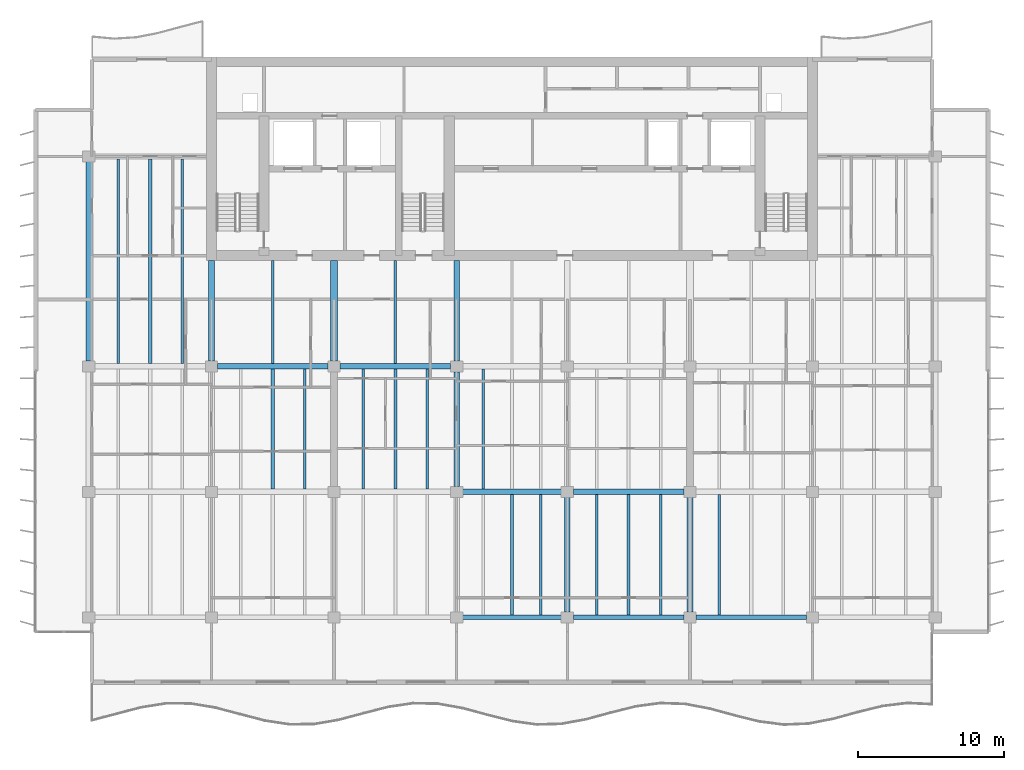
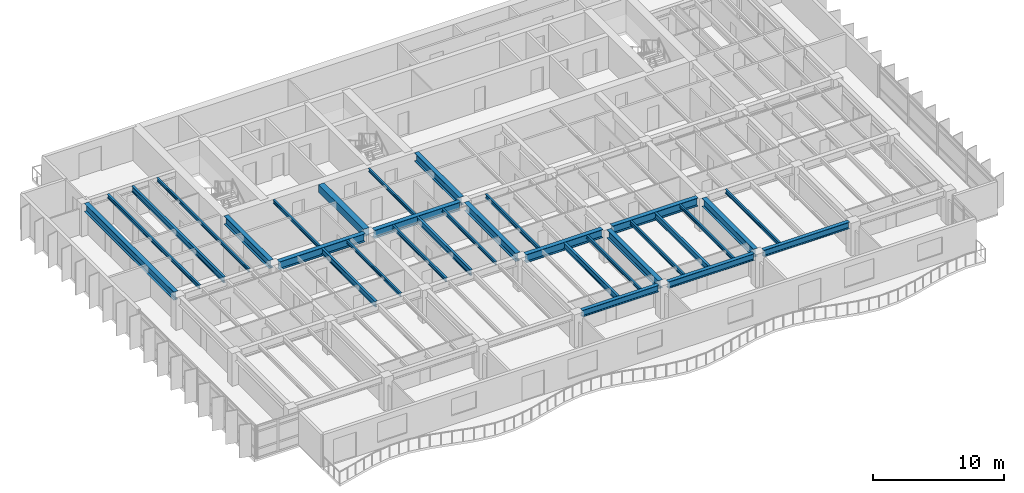
# One storey, part 3 of 17: 31 beams.
"""IFC4 building model written with IfcOpenShell, lengths in metres."""

import ifcopenshell
import ifcopenshell.guid

model = None  # the IFC model being written
_history = None  # IfcOwnerHistory: only IFC2X3 demands one
_inside = {}  # id of a spatial element -> (the spatial element, [elements in it])
_under = {}  # id of a project, library or spatial element -> (it, [spatial elements below it])
_declared = {}  # id of a project -> (the project, [libraries it declares])
_typed = {}  # id of a type object -> (the type object, [elements of that type])
_made_of = {}  # id of a material, layer set ... -> (it, [elements and type objects made of it])


def new_model(schema):
    """Start an empty IFC model of exactly this schema.

    Asked for "IFC4X3", IfcOpenShell would pick the latest addendum, in which some entities
    have other attributes; the version numbers below select the first issue.
    IFC2X3 requires an IfcOwnerHistory on every rooted entity: one is made here for all.
    """
    global model, _history
    if schema == "IFC4X3":
        model = ifcopenshell.file(schema_version=(4, 3, 0, 0))
    else:
        model = ifcopenshell.file(schema=schema)
    _inside.clear()
    _under.clear()
    _declared.clear()
    _typed.clear()
    _made_of.clear()
    _history = None
    if model.schema == "IFC2X3":
        org = make("IfcOrganization", Name="unknown")
        user = make(
            "IfcPersonAndOrganization",
            ThePerson=make("IfcPerson", FamilyName="unknown"),
            TheOrganization=org,
        )
        app = make(
            "IfcApplication",
            ApplicationDeveloper=org,
            Version="unknown",
            ApplicationFullName="unknown",
            ApplicationIdentifier="unknown",
        )
        _history = make(
            "IfcOwnerHistory",
            OwningUser=user,
            OwningApplication=app,
            ChangeAction="ADDED",
            CreationDate=0,
        )
    return model


def make(cls, **values):
    """One entity of the class cls with the attributes given. An attribute that is None is left unset."""
    return model.create_entity(
        cls, **{name: value for name, value in values.items() if value is not None}
    )


def rooted(cls, **values):
    """An entity with a GlobalId (a new one), such as an element, a storey or a relation."""
    return make(cls, GlobalId=ifcopenshell.guid.new(), OwnerHistory=_history, **values)


def si_unit(unit_type, name, prefix=None):
    """IfcSIUnit, for example si_unit("LENGTHUNIT", "METRE", prefix="MILLI")."""
    return make("IfcSIUnit", UnitType=unit_type, Prefix=prefix, Name=name)


def assignment(units):
    """IfcUnitAssignment: the units of a project."""
    return None if units is None else make("IfcUnitAssignment", Units=units)


def point(xyz):
    """IfcCartesianPoint."""
    return None if xyz is None else make("IfcCartesianPoint", Coordinates=xyz)


def direction(xyz):
    """IfcDirection."""
    return None if xyz is None else make("IfcDirection", DirectionRatios=xyz)


def frame(location, z_axis=None, x_axis=None):
    """IfcAxis2Placement3D, a coordinate frame: its origin and axes. An axis left out is left unset."""
    return make(
        "IfcAxis2Placement3D",
        Location=point(location),
        Axis=direction(z_axis),
        RefDirection=direction(x_axis),
    )


def frame_2d(location, x_axis=None):
    """IfcAxis2Placement2D, a coordinate frame in the plane: its origin and x axis."""
    return make(
        "IfcAxis2Placement2D", Location=point(location), RefDirection=direction(x_axis)
    )


def origin():
    """The frame at (0, 0, 0) with its axes left unset."""
    return frame((0.0, 0.0, 0.0))


def origin_2d():
    """The frame at (0, 0) in the plane with its x axis left unset."""
    return frame_2d((0.0, 0.0))


def place(relative_to, where):
    """IfcLocalPlacement: puts the frame where relative to a parent placement (None: the world)."""
    return make(
        "IfcLocalPlacement", PlacementRelTo=relative_to, RelativePlacement=where
    )


def context(
    kind, dimensions, precision=None, world=None, true_north=None, identifier=None
):
    """IfcGeometricRepresentationContext, for example the 3D "Model" context."""
    return make(
        "IfcGeometricRepresentationContext",
        ContextIdentifier=identifier,
        ContextType=kind,
        CoordinateSpaceDimension=dimensions,
        Precision=precision,
        WorldCoordinateSystem=world,
        TrueNorth=true_north,
    )


def subcontext(parent, identifier, kind, view, scale=None):
    """IfcGeometricRepresentationSubContext, for example "Body" below "Model"."""
    return make(
        "IfcGeometricRepresentationSubContext",
        ContextIdentifier=identifier,
        ContextType=kind,
        ParentContext=parent,
        TargetScale=scale,
        TargetView=view,
    )


def project(units=None, contexts=None):
    """IfcProject with its units and contexts."""
    return rooted(
        "IfcProject",
        Name="project",
        RepresentationContexts=contexts,
        UnitsInContext=assignment(units),
    )


def spatial(cls, under=None, at=None, **own):
    """A site, building, storey or space (cls), placed at a placement, below another one or the project."""
    s = rooted(cls, ObjectPlacement=at, **own)
    if under is not None:
        _under.setdefault(under.id(), (under, []))[1].append(s)
    return s


def profile(cls, at=None, kind="AREA", **sizes):
    """A parametric profile (cls). Its sizes go by their IFC names, for example OverallWidth=200.0."""
    return make(cls, ProfileType=kind, Position=at, **sizes)


def rectangle(**sizes):
    """IfcRectangleProfileDef."""
    return profile("IfcRectangleProfileDef", **sizes)


def i_section(**sizes):
    """IfcIShapeProfileDef."""
    return profile("IfcIShapeProfileDef", **sizes)


def extrude(swept, where, along, depth):
    """IfcExtrudedAreaSolid: the profile swept, set in the frame where, extruded along a direction by depth."""
    return make(
        "IfcExtrudedAreaSolid",
        SweptArea=swept,
        Position=where,
        ExtrudedDirection=direction(along),
        Depth=depth,
    )


def shape(context_of_items, identifier, shape_type, items):
    """IfcShapeRepresentation: the items that make up one representation, for example the "Body"."""
    return make(
        "IfcShapeRepresentation",
        ContextOfItems=context_of_items,
        RepresentationIdentifier=identifier,
        RepresentationType=shape_type,
        Items=items,
    )


def material(Name=None, Category=None):
    """IfcMaterial."""
    return make("IfcMaterial", Name=Name, Category=Category)


def material_profile(
    of_material, cross_section, Name=None, Category=None, Priority=None
):
    """IfcMaterialProfile: a cross section and its material."""
    return make(
        "IfcMaterialProfile",
        Name=Name,
        Material=of_material,
        Profile=cross_section,
        Priority=Priority,
        Category=Category,
    )


def profile_set(profiles, Name=None, composite=None):
    """IfcMaterialProfileSet."""
    return make(
        "IfcMaterialProfileSet",
        Name=Name,
        MaterialProfiles=profiles,
        CompositeProfile=composite,
    )


def made_of(thing, what):
    """Note that an element or type object is made of a material, layer set ...; save() writes the relation."""
    if what is not None:
        _made_of.setdefault(what.id(), (what, []))[1].append(thing)
    return thing


def type_object(cls, material=None, **own):
    """A type object (cls), such as IfcWallType, which elements share."""
    return made_of(rooted(cls, **own), material)


def element(
    cls,
    number,
    at=None,
    inside=None,
    cuts=None,
    type_object=None,
    material=None,
    context=None,
    identifier="Body",
    shape_type=None,
    held_by="IfcProductDefinitionShape",
    body=None,
    shapes=None,
    **own,
):
    """One element of the class cls, such as IfcWall. Its Tag is "e" and its number.

    at: its placement. inside: the storey or other place that contains it. cuts: it is an
    opening in that element (IfcRelVoidsElement). A single representation is given by context,
    identifier, shape_type and body (its items); several are given by shapes. held_by: the class
    of the entity that holds the representations. save() writes the other relations.
    """
    e = rooted(cls, Tag="e%d" % number, ObjectPlacement=at, **own)
    if body is not None:
        shapes = [shape(context, identifier, shape_type, body)]
    if shapes is not None:
        e.Representation = make(held_by, Representations=shapes)
    if inside is not None:
        _inside.setdefault(inside.id(), (inside, []))[1].append(e)
    if cuts is not None:
        rooted(
            "IfcRelVoidsElement", RelatingBuildingElement=cuts, RelatedOpeningElement=e
        )
    if type_object is not None:
        _typed.setdefault(type_object.id(), (type_object, []))[1].append(e)
    return made_of(e, material)


def aggregate(whole, parts):
    """IfcRelAggregates: a whole, such as a stair, and the parts it consists of."""
    return rooted("IfcRelAggregates", RelatingObject=whole, RelatedObjects=parts)


def save(model, path):
    """Write the relations noted so far, then the file.

    IfcRelAggregates (storeys below a building ...), IfcRelContainedInSpatialStructure (elements
    in a storey), IfcRelDefinesByType, IfcRelAssociatesMaterial and IfcRelDeclares: one each for
    every whole, place, type object, material and project.
    """
    for whole, parts in _under.values():
        aggregate(whole, parts)
    for where, things in _inside.values():
        rooted(
            "IfcRelContainedInSpatialStructure",
            RelatedElements=things,
            RelatingStructure=where,
        )
    for kind, things in _typed.values():
        rooted("IfcRelDefinesByType", RelatedObjects=things, RelatingType=kind)
    for what, things in _made_of.values():
        rooted("IfcRelAssociatesMaterial", RelatedObjects=things, RelatingMaterial=what)
    for by, libraries in _declared.values():
        rooted("IfcRelDeclares", RelatingContext=by, RelatedDefinitions=libraries)
    model.write(path)


model = new_model("IFC4")

# Units and contexts
model_context = context("Model", 3, precision=1e-05, world=origin(), true_north=direction((0.0, 1.0)))
body_context = subcontext(model_context, "Body", "Model", "MODEL_VIEW")
ifc_project = project(units=[si_unit("LENGTHUNIT", "METRE"), si_unit("AREAUNIT", "SQUARE_METRE"), si_unit("VOLUMEUNIT", "CUBIC_METRE"), si_unit("PLANEANGLEUNIT", "RADIAN"), si_unit("MASSUNIT", "GRAM", prefix="KILO")], contexts=[model_context])

# Site, building, storey
site_placement = place(None, origin())
site = spatial("IfcSite", under=ifc_project, at=site_placement, CompositionType="ELEMENT")
building_placement = place(site_placement, origin())
building = spatial("IfcBuilding", under=site, at=building_placement, Name="Caelmar Bay Residences", CompositionType="ELEMENT")
storey_placement = place(building_placement, frame((0.0, 0.0, 204.89990234375)))
storey = spatial("IfcBuildingStorey", under=building, at=storey_placement, Name="L57", CompositionType="ELEMENT", Elevation=204.89990234375)

# Beams
ifc_material_1 = material(Name="Steel ASTM A992 Grade 50", Category="steel")
ifc_material_profile_1 = material_profile(ifc_material_1, i_section(OverallWidth=0.381103515625, OverallDepth=0.77197265625, WebThickness=0.0166015625, FlangeThickness=0.027099609375, FilletRadius=0.0166015625, at=origin_2d()), Name="W30X173")
ifc_profile_set_1 = profile_set([ifc_material_profile_1], Name="Steel ASTM A992 Grade 50")
beam_type_1 = type_object("IfcBeamType", Name="BM-GRD-W30X173", PredefinedType="BEAM", material=ifc_profile_set_1)
beam_1_placement = place(storey_placement, frame((35.514892578125, 20.800048828125, 2.6640625), z_axis=(1.0, 0.0, 0.0), x_axis=(0.0, 1.0, 0.0)))
element("IfcBeam", 1, at=beam_1_placement, inside=storey, type_object=beam_type_1, Name="L57 East-West Girder Y=20.80 (35.1-42.7)", PredefinedType="BEAM", context=body_context, shape_type="SweptSolid", body=[
    extrude(i_section(OverallWidth=0.381103515625, OverallDepth=0.77197265625, WebThickness=0.0166015625, FlangeThickness=0.027099609375, FilletRadius=0.0166015625, at=origin_2d()), origin(), (0.0, 0.0, 1.0), 6.77001953125),
])
beam_2_placement = place(storey_placement, frame((43.114990234375, 20.800048828125, 2.6640625), z_axis=(1.0, 0.0, 0.0), x_axis=(0.0, 1.0, 0.0)))
element("IfcBeam", 2, at=beam_2_placement, inside=storey, type_object=beam_type_1, Name="L57 East-West Girder Y=20.80 (42.7-51.1)", PredefinedType="BEAM", context=body_context, shape_type="SweptSolid", body=[
    extrude(i_section(OverallWidth=0.381103515625, OverallDepth=0.77197265625, WebThickness=0.0166015625, FlangeThickness=0.027099609375, FilletRadius=0.0166015625, at=origin_2d()), origin(), (0.0, 0.0, 1.0), 7.570068359375),
])
beam_3_placement = place(storey_placement, frame((18.715087890625, 29.39990234375, 2.6640625), z_axis=(1.0, 0.0, 0.0), x_axis=(0.0, 1.0, 0.0)))
element("IfcBeam", 3, at=beam_3_placement, inside=storey, type_object=beam_type_1, Name="L57 East-West Girder Y=29.40 (18.3-26.7)", PredefinedType="BEAM", context=body_context, shape_type="SweptSolid", body=[
    extrude(i_section(OverallWidth=0.381103515625, OverallDepth=0.77197265625, WebThickness=0.0166015625, FlangeThickness=0.027099609375, FilletRadius=0.0166015625, at=origin_2d()), origin(), (0.0, 0.0, 1.0), 7.56982421875),
])
beam_4_placement = place(storey_placement, frame((27.114990234375, 29.39990234375, 2.6640625), z_axis=(1.0, 0.0, 0.0), x_axis=(0.0, 1.0, 0.0)))
element("IfcBeam", 4, at=beam_4_placement, inside=storey, type_object=beam_type_1, Name="L57 East-West Girder Y=29.40 (26.7-35.1)", PredefinedType="BEAM", context=body_context, shape_type="SweptSolid", body=[
    extrude(i_section(OverallWidth=0.381103515625, OverallDepth=0.77197265625, WebThickness=0.0166015625, FlangeThickness=0.027099609375, FilletRadius=0.0166015625, at=origin_2d()), origin(), (0.0, 0.0, 1.0), 7.570068359375),
])
beam_5_placement = place(storey_placement, frame((9.89990234375, 29.764892578125, 2.6640625), z_axis=(0.0, 1.0, 0.0), x_axis=(-1.0, 0.0, 0.0)))
element("IfcBeam", 5, at=beam_5_placement, inside=storey, type_object=beam_type_1, Name="L57 North-South Girder X=9.90 (29.4-43.8)", PredefinedType="BEAM", context=body_context, shape_type="SweptSolid", body=[
    extrude(i_section(OverallWidth=0.381103515625, OverallDepth=0.77197265625, WebThickness=0.0166015625, FlangeThickness=0.027099609375, FilletRadius=0.0166015625, at=origin_2d()), origin(), (0.0, 0.0, 1.0), 13.670166015625),
])
for number, where, z_axis, x_axis, name in (
    (6, (18.300048828125, 29.764892578125, 2.6640625), (0.0, 1.0, 0.0), (-1.0, 0.0, 0.0), "L57 Core Tie Girder X=18.30"),
    (7, (35.10009765625, 29.764892578125, 2.6640625), (0.0, 1.0, 0.0), (-1.0, 0.0, 0.0), "L57 Core Tie Girder X=35.10"),
):
    element("IfcBeam", number, at=place(storey_placement, frame(where, z_axis=z_axis, x_axis=x_axis)), inside=storey, type_object=beam_type_1, Name=name, PredefinedType="BEAM", context=body_context, shape_type="SweptSolid", body=[
        extrude(i_section(OverallWidth=0.381103515625, OverallDepth=0.77197265625, WebThickness=0.0166015625, FlangeThickness=0.027099609375, FilletRadius=0.0166015625, at=origin_2d()), origin(), (0.0, 0.0, 1.0), 6.885009765625),
    ])
beam_6_placement = place(storey_placement, frame((35.10009765625, 21.1650390625, 2.6640625), z_axis=(0.0, 1.0, 0.0), x_axis=(-1.0, 0.0, 0.0)))
element("IfcBeam", 8, at=beam_6_placement, inside=storey, type_object=beam_type_1, Name="L57 North-South Girder X=35.10 (20.8-29.4)", PredefinedType="BEAM", context=body_context, shape_type="SweptSolid", body=[
    extrude(i_section(OverallWidth=0.381103515625, OverallDepth=0.77197265625, WebThickness=0.0166015625, FlangeThickness=0.027099609375, FilletRadius=0.0166015625, at=origin_2d()), origin(), (0.0, 0.0, 1.0), 7.869873046875),
])
for number, where, z_axis, x_axis, name in (
    (9, (42.699951171875, 12.56494140625, 2.6640625), (0.0, 1.0, 0.0), (-1.0, 0.0, 0.0), "L57 North-South Girder X=42.70 (12.2-20.8)"),
    (10, (51.10009765625, 12.56494140625, 2.6640625), (0.0, 1.0, 0.0), (-1.0, 0.0, 0.0), "L57 North-South Girder X=51.10 (12.2-20.8)"),
):
    element("IfcBeam", number, at=place(storey_placement, frame(where, z_axis=z_axis, x_axis=x_axis)), inside=storey, type_object=beam_type_1, Name=name, PredefinedType="BEAM", context=body_context, shape_type="SweptSolid", body=[
        extrude(i_section(OverallWidth=0.381103515625, OverallDepth=0.77197265625, WebThickness=0.0166015625, FlangeThickness=0.027099609375, FilletRadius=0.0166015625, at=origin_2d()), origin(), (0.0, 0.0, 1.0), 7.8701171875),
    ])
ifc_material_profile_2 = material_profile(ifc_material_1, i_section(OverallWidth=0.1650390625, OverallDepth=0.31005859375, WebThickness=0.005859375, FlangeThickness=0.009765625, FilletRadius=0.007568359375, at=origin_2d()), Name="W12X26")
ifc_profile_set_2 = profile_set([ifc_material_profile_2], Name="Steel ASTM A992 Grade 50")
beam_type_2 = type_object("IfcBeamType", Name="BM-JST-W12X26", PredefinedType="JOIST", material=ifc_profile_set_2)
for number, where, z_axis, x_axis, name in (
    (11, (40.8759765625, 12.362548828125, 2.89501953125), (0.0, 1.0, 0.0), (-1.0, 0.0, 0.0), "L57 Composite Floor Joist 12"),
    (12, (49.083984375, 12.362548828125, 2.89501953125), (0.0, 1.0, 0.0), (-1.0, 0.0, 0.0), "L57 Composite Floor Joist 15"),
):
    element("IfcBeam", number, at=place(storey_placement, frame(where, z_axis=z_axis, x_axis=x_axis)), inside=storey, type_object=beam_type_2, Name=name, PredefinedType="JOIST", context=body_context, shape_type="SweptSolid", body=[
        extrude(i_section(OverallWidth=0.1650390625, OverallDepth=0.31005859375, WebThickness=0.005859375, FlangeThickness=0.009765625, FilletRadius=0.007568359375, at=origin_2d()), origin(), (0.0, 0.0, 1.0), 8.2470703125),
    ])
for number, where, z_axis, x_axis, name in (
    (13, (24.68408203125, 20.990478515625, 2.89501953125), (0.0, 1.0, 0.0), (-1.0, 0.0, 0.0), "L57 Composite Floor Joist 27"),
    (14, (33.083984375, 20.990478515625, 2.89501953125), (0.0, 1.0, 0.0), (-1.0, 0.0, 0.0), "L57 Composite Floor Joist 30"),
):
    element("IfcBeam", number, at=place(storey_placement, frame(where, z_axis=z_axis, x_axis=x_axis)), inside=storey, type_object=beam_type_2, Name=name, PredefinedType="JOIST", context=body_context, shape_type="SweptSolid", body=[
        extrude(i_section(OverallWidth=0.1650390625, OverallDepth=0.31005859375, WebThickness=0.005859375, FlangeThickness=0.009765625, FilletRadius=0.007568359375, at=origin_2d()), origin(), (0.0, 0.0, 1.0), 8.218994140625),
    ])
for number, where, z_axis, x_axis, name in (
    (15, (22.5, 29.590576171875, 2.89501953125), (0.0, 1.0, 0.0), (-1.0, 0.0, 0.0), "L57 Core-Band Composite Joist 43"),
    (16, (30.89990234375, 29.590576171875, 2.89501953125), (0.0, 1.0, 0.0), (-1.0, 0.0, 0.0), "L57 Core-Band Composite Joist 44"),
):
    element("IfcBeam", number, at=place(storey_placement, frame(where, z_axis=z_axis, x_axis=x_axis)), inside=storey, type_object=beam_type_2, Name=name, PredefinedType="JOIST", context=body_context, shape_type="SweptSolid", body=[
        extrude(i_section(OverallWidth=0.1650390625, OverallDepth=0.31005859375, WebThickness=0.005859375, FlangeThickness=0.009765625, FilletRadius=0.007568359375, at=origin_2d()), origin(), (0.0, 0.0, 1.0), 7.059326171875),
    ])
beam_7_placement = place(storey_placement, frame((16.283935546875, 29.590576171875, 2.89501953125), z_axis=(0.0, 1.0, 0.0), x_axis=(-1.0, 0.0, 0.0)))
element("IfcBeam", 17, at=beam_7_placement, inside=storey, type_object=beam_type_2, Name="L57 Composite Floor Joist 50", PredefinedType="JOIST", context=body_context, shape_type="SweptSolid", body=[
    extrude(i_section(OverallWidth=0.1650390625, OverallDepth=0.31005859375, WebThickness=0.005859375, FlangeThickness=0.009765625, FilletRadius=0.007568359375, at=origin_2d()), origin(), (0.0, 0.0, 1.0), 14.046875),
])
ifc_material_profile_3 = material_profile(ifc_material_1, i_section(OverallWidth=0.1708984375, OverallDepth=0.35595703125, WebThickness=0.007080078125, FlangeThickness=0.01171875, FilletRadius=0.007568359375, at=origin_2d()), Name="W14X34")
ifc_profile_set_3 = profile_set([ifc_material_profile_3], Name="Steel ASTM A992 Grade 50")
beam_type_3 = type_object("IfcBeamType", Name="BM-JST-W14X34", PredefinedType="JOIST", material=ifc_profile_set_3)
for number, where, z_axis, x_axis, name in (
    (18, (44.716064453125, 12.362548828125, 2.8720703125), (0.0, 1.0, 0.0), (-1.0, 0.0, 0.0), "L57 Composite Floor Joist 13"),
    (19, (53.115966796875, 12.362548828125, 2.8720703125), (0.0, 1.0, 0.0), (-1.0, 0.0, 0.0), "L57 Composite Floor Joist 16"),
):
    element("IfcBeam", number, at=place(storey_placement, frame(where, z_axis=z_axis, x_axis=x_axis)), inside=storey, type_object=beam_type_3, Name=name, PredefinedType="JOIST", context=body_context, shape_type="SweptSolid", body=[
        extrude(i_section(OverallWidth=0.1708984375, OverallDepth=0.35595703125, WebThickness=0.007080078125, FlangeThickness=0.01171875, FilletRadius=0.007568359375, at=origin_2d()), origin(), (0.0, 0.0, 1.0), 8.2470703125),
    ])
for number, where, z_axis, x_axis, name in (
    (20, (28.716064453125, 20.990478515625, 2.8720703125), (0.0, 1.0, 0.0), (-1.0, 0.0, 0.0), "L57 Composite Floor Joist 28"),
    (21, (36.924072265625, 20.990478515625, 2.8720703125), (0.0, 1.0, 0.0), (-1.0, 0.0, 0.0), "L57 Composite Floor Joist 31"),
):
    element("IfcBeam", number, at=place(storey_placement, frame(where, z_axis=z_axis, x_axis=x_axis)), inside=storey, type_object=beam_type_3, Name=name, PredefinedType="JOIST", context=body_context, shape_type="SweptSolid", body=[
        extrude(i_section(OverallWidth=0.1708984375, OverallDepth=0.35595703125, WebThickness=0.007080078125, FlangeThickness=0.01171875, FilletRadius=0.007568359375, at=origin_2d()), origin(), (0.0, 0.0, 1.0), 8.218994140625),
    ])
beam_8_placement = place(storey_placement, frame((11.916015625, 29.590576171875, 2.8720703125), z_axis=(0.0, 1.0, 0.0), x_axis=(-1.0, 0.0, 0.0)))
element("IfcBeam", 22, at=beam_8_placement, inside=storey, type_object=beam_type_3, Name="L57 Composite Floor Joist 48", PredefinedType="JOIST", context=body_context, shape_type="SweptSolid", body=[
    extrude(i_section(OverallWidth=0.1708984375, OverallDepth=0.35595703125, WebThickness=0.007080078125, FlangeThickness=0.01171875, FilletRadius=0.007568359375, at=origin_2d()), origin(), (0.0, 0.0, 1.0), 14.046875),
])
ifc_material_profile_4 = material_profile(ifc_material_1, i_section(OverallWidth=0.2099609375, OverallDepth=0.535888671875, WebThickness=0.010986328125, FlangeThickness=0.017333984375, FilletRadius=0.0126953125, at=origin_2d()), Name="W21X68")
ifc_profile_set_4 = profile_set([ifc_material_profile_4], Name="Steel ASTM A992 Grade 50")
beam_type_4 = type_object("IfcBeamType", Name="BM-JST-W21X68", PredefinedType="JOIST", material=ifc_profile_set_4)
for number, where, z_axis, x_axis, name in (
    (23, (38.89990234375, 12.362548828125, 2.781982421875), (0.0, 1.0, 0.0), (-1.0, 0.0, 0.0), "L57 Composite Floor Joist 11"),
    (24, (46.89990234375, 12.362548828125, 2.781982421875), (0.0, 1.0, 0.0), (-1.0, 0.0, 0.0), "L57 Composite Floor Joist 14"),
):
    element("IfcBeam", number, at=place(storey_placement, frame(where, z_axis=z_axis, x_axis=x_axis)), inside=storey, type_object=beam_type_4, Name=name, PredefinedType="JOIST", context=body_context, shape_type="SweptSolid", body=[
        extrude(i_section(OverallWidth=0.2099609375, OverallDepth=0.535888671875, WebThickness=0.010986328125, FlangeThickness=0.017333984375, FilletRadius=0.0126953125, at=origin_2d()), origin(), (0.0, 0.0, 1.0), 8.2470703125),
    ])
for number, where, z_axis, x_axis, name in (
    (25, (22.5, 20.990478515625, 2.781982421875), (0.0, 1.0, 0.0), (-1.0, 0.0, 0.0), "L57 Composite Floor Joist 26"),
    (26, (30.89990234375, 20.990478515625, 2.781982421875), (0.0, 1.0, 0.0), (-1.0, 0.0, 0.0), "L57 Composite Floor Joist 29"),
):
    element("IfcBeam", number, at=place(storey_placement, frame(where, z_axis=z_axis, x_axis=x_axis)), inside=storey, type_object=beam_type_4, Name=name, PredefinedType="JOIST", context=body_context, shape_type="SweptSolid", body=[
        extrude(i_section(OverallWidth=0.2099609375, OverallDepth=0.535888671875, WebThickness=0.010986328125, FlangeThickness=0.017333984375, FilletRadius=0.0126953125, at=origin_2d()), origin(), (0.0, 0.0, 1.0), 8.218994140625),
    ])
beam_9_placement = place(storey_placement, frame((14.10009765625, 29.590576171875, 2.781982421875), z_axis=(0.0, 1.0, 0.0), x_axis=(-1.0, 0.0, 0.0)))
element("IfcBeam", 27, at=beam_9_placement, inside=storey, type_object=beam_type_4, Name="L57 Composite Floor Joist 49", PredefinedType="JOIST", context=body_context, shape_type="SweptSolid", body=[
    extrude(i_section(OverallWidth=0.2099609375, OverallDepth=0.535888671875, WebThickness=0.010986328125, FlangeThickness=0.017333984375, FilletRadius=0.0126953125, at=origin_2d()), origin(), (0.0, 0.0, 1.0), 14.046875),
])
ifc_material_2 = material(Name="Concrete f'c 55 MPa (8,000 psi)", Category="concrete")
ifc_material_profile_5 = material_profile(ifc_material_2, rectangle(XDim=0.5, YDim=0.699951171875, at=origin_2d()), Name="RC-BM-500X700")
ifc_profile_set_5 = profile_set([ifc_material_profile_5], Name="Concrete f'c 55 MPa (8,000 psi)")
beam_type_5 = type_object("IfcBeamType", Name="BM-RC-500X700", PredefinedType="LINTEL", material=ifc_profile_set_5)
beam_10_placement = place(storey_placement, frame((26.699951171875, 29.764892578125, 2.7001953125), z_axis=(0.0, 1.0, 0.0), x_axis=(-1.0, 0.0, 0.0)))
element("IfcBeam", 28, at=beam_10_placement, inside=storey, type_object=beam_type_5, Name="L57 Shear-Wall Corridor Coupling Lintel W5", PredefinedType="LINTEL", context=body_context, shape_type="SweptSolid", body=[
    extrude(rectangle(XDim=0.5, YDim=0.699951171875, at=origin_2d()), origin(), (0.0, 0.0, 1.0), 6.885009765625),
])
ifc_material_profile_6 = material_profile(ifc_material_1, i_section(OverallWidth=0.324951171875, OverallDepth=0.616943359375, WebThickness=0.013916015625, FlangeThickness=0.021484375, FilletRadius=0.0126953125, at=origin_2d()), Name="W24X117")
ifc_profile_set_6 = profile_set([ifc_material_profile_6], Name="Steel ASTM A992 Grade 50")
beam_type_6 = type_object("IfcBeamType", Name="BM-SPN-W24X117", PredefinedType="SPANDREL", material=ifc_profile_set_6)
beam_11_placement = place(storey_placement, frame((35.514892578125, 12.199951171875, 2.74169921875), z_axis=(1.0, 0.0, 0.0), x_axis=(0.0, 1.0, 0.0)))
element("IfcBeam", 29, at=beam_11_placement, inside=storey, type_object=beam_type_6, Name="L57 East-West Girder Y=12.20 (35.1-42.7)", PredefinedType="SPANDREL", context=body_context, shape_type="SweptSolid", body=[
    extrude(i_section(OverallWidth=0.324951171875, OverallDepth=0.616943359375, WebThickness=0.013916015625, FlangeThickness=0.021484375, FilletRadius=0.0126953125, at=origin_2d()), origin(), (0.0, 0.0, 1.0), 6.77001953125),
])
for number, where, z_axis, x_axis, name in (
    (30, (43.114990234375, 12.199951171875, 2.74169921875), (1.0, 0.0, 0.0), (0.0, 1.0, 0.0), "L57 East-West Girder Y=12.20 (42.7-51.1)"),
    (31, (51.514892578125, 12.199951171875, 2.74169921875), (1.0, 0.0, 0.0), (0.0, 1.0, 0.0), "L57 East-West Girder Y=12.20 (51.1-59.5)"),
):
    element("IfcBeam", number, at=place(storey_placement, frame(where, z_axis=z_axis, x_axis=x_axis)), inside=storey, type_object=beam_type_6, Name=name, PredefinedType="SPANDREL", context=body_context, shape_type="SweptSolid", body=[
        extrude(i_section(OverallWidth=0.324951171875, OverallDepth=0.616943359375, WebThickness=0.013916015625, FlangeThickness=0.021484375, FilletRadius=0.0126953125, at=origin_2d()), origin(), (0.0, 0.0, 1.0), 7.570068359375),
    ])

save(model, "model.ifc")
